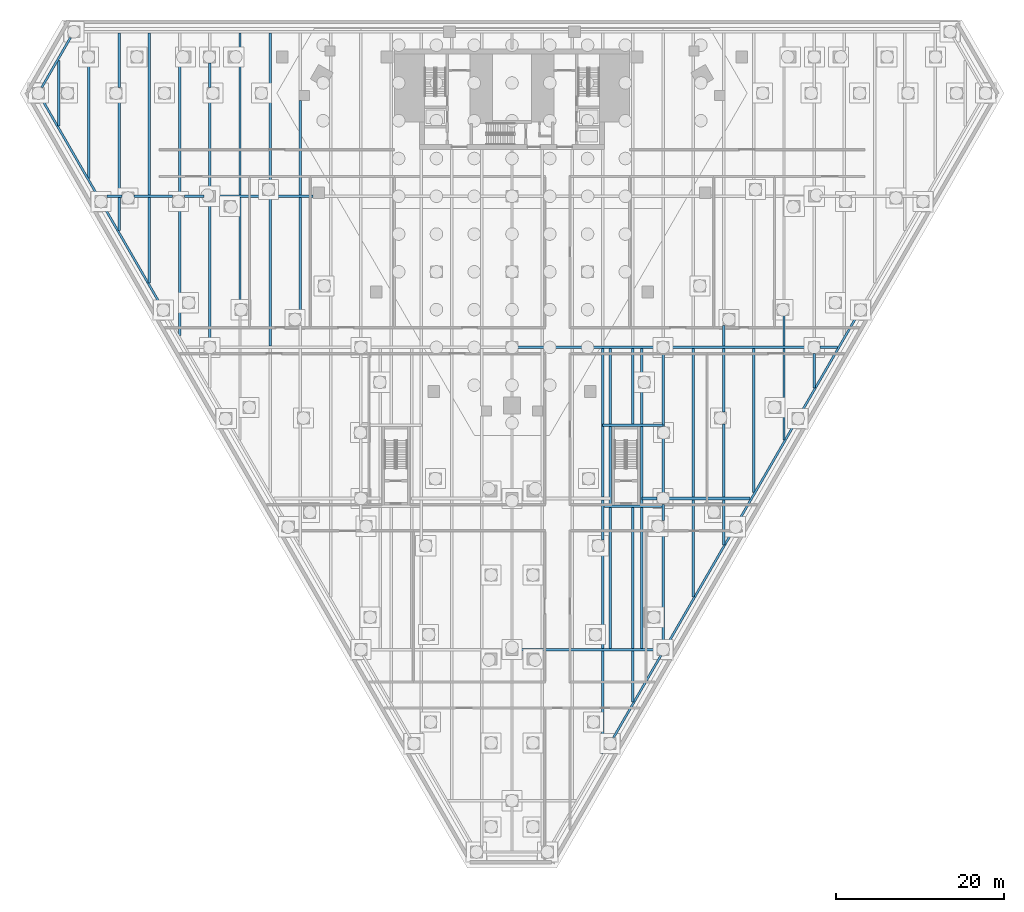
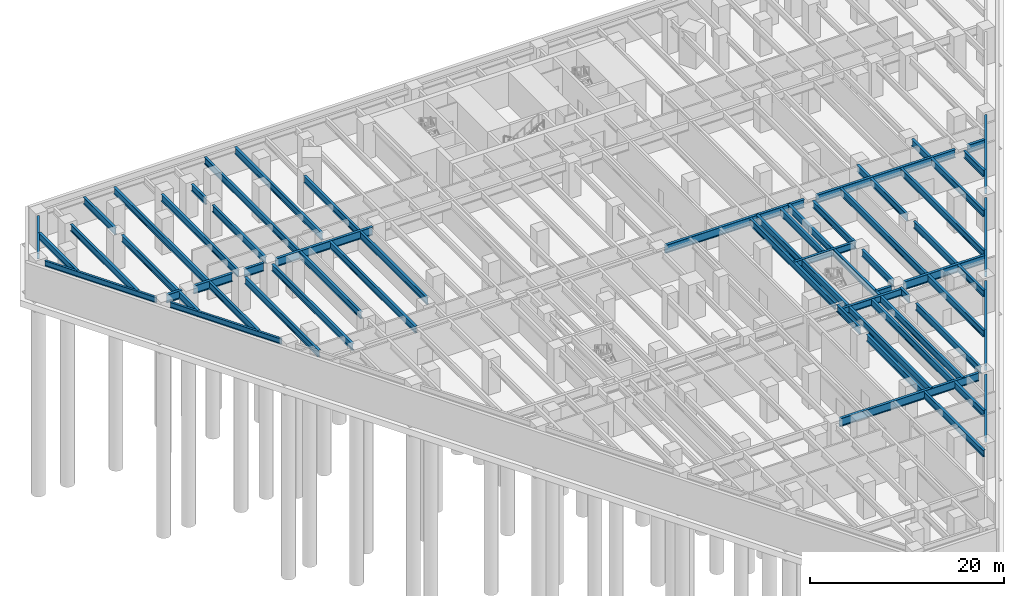
# One storey, part 4 of 18: 60 beams.
"""IFC4 building model written with IfcOpenShell, lengths in metres."""

from ifc_helpers import new_model, si_unit, direction, frame, origin, origin_2d, place, context, subcontext, project, spatial, i_section, extrude, material, material_profile, profile_set, type_object, element, save


model = new_model("IFC4")

# Units and contexts
model_context = context("Model", 3, precision=1e-05, world=origin(), true_north=direction((0.0, 1.0)))
body_context = subcontext(model_context, "Body", "Model", "MODEL_VIEW")
ifc_project = project(units=[si_unit("LENGTHUNIT", "METRE"), si_unit("AREAUNIT", "SQUARE_METRE"), si_unit("VOLUMEUNIT", "CUBIC_METRE"), si_unit("PLANEANGLEUNIT", "RADIAN"), si_unit("MASSUNIT", "GRAM", prefix="KILO")], contexts=[model_context])

# Site, building, storey
site_placement = place(None, origin())
site = spatial("IfcSite", under=ifc_project, at=site_placement, CompositionType="ELEMENT")
building_placement = place(site_placement, origin())
building = spatial("IfcBuilding", under=site, at=building_placement, Name="Aloe Facet Convention Tower", CompositionType="ELEMENT")
storey_placement = place(building_placement, frame((0.0, 0.0, -9.0)))
storey = spatial("IfcBuildingStorey", under=building, at=storey_placement, Name="B2", CompositionType="ELEMENT", Elevation=-9.0)

# Beams
ifc_material_1 = material(Name="Steel S355", Category="steel")
ifc_material_profile_1 = material_profile(ifc_material_1, i_section(OverallWidth=0.305419921875, OverallDepth=1.02587890625, WebThickness=0.02001953125, FlangeThickness=0.031005859375, FilletRadius=0.030029296875, at=origin_2d()), Name="UB 1016x305x349")
ifc_profile_set_1 = profile_set([ifc_material_profile_1], Name="Steel S355")
beam_type_1 = type_object("IfcBeamType", Name="SF-B-UB1016x305x349", PredefinedType="BEAM", material=ifc_profile_set_1)
beam_1_placement = place(storey_placement, frame((31.740966796875, 117.0, 3.737060546875), z_axis=(1.0, 0.0, 0.0), x_axis=(0.0, 1.0, 0.0)))
element("IfcBeam", 1, at=beam_1_placement, inside=storey, type_object=beam_type_1, Name="Floor beam FB-B1-021", PredefinedType="BEAM", context=body_context, shape_type="SweptSolid", body=[
    extrude(i_section(OverallWidth=0.305419921875, OverallDepth=1.02587890625, WebThickness=0.02001953125, FlangeThickness=0.031005859375, FilletRadius=0.030029296875, at=origin_2d()), origin(), (0.0, 0.0, 1.0), 1.817138671875),
])
beam_2_placement = place(storey_placement, frame((34.9580078125, 117.0, 3.737060546875), z_axis=(1.0, 0.0, 0.0), x_axis=(0.0, 1.0, 0.0)))
element("IfcBeam", 2, at=beam_2_placement, inside=storey, type_object=beam_type_1, Name="Floor beam FB-B1-022", PredefinedType="BEAM", context=body_context, shape_type="SweptSolid", body=[
    extrude(i_section(OverallWidth=0.305419921875, OverallDepth=1.02587890625, WebThickness=0.02001953125, FlangeThickness=0.031005859375, FilletRadius=0.030029296875, at=origin_2d()), origin(), (0.0, 0.0, 1.0), 4.612060546875),
])
beam_3_placement = place(storey_placement, frame((40.969970703125, 117.0, 3.737060546875), z_axis=(1.0, 0.0, 0.0), x_axis=(0.0, 1.0, 0.0)))
element("IfcBeam", 3, at=beam_3_placement, inside=storey, type_object=beam_type_1, Name="Floor beam FB-B1-023", PredefinedType="BEAM", context=body_context, shape_type="SweptSolid", body=[
    extrude(i_section(OverallWidth=0.305419921875, OverallDepth=1.02587890625, WebThickness=0.02001953125, FlangeThickness=0.031005859375, FilletRadius=0.030029296875, at=origin_2d()), origin(), (0.0, 0.0, 1.0), 2.330078125),
])
beam_4_placement = place(storey_placement, frame((44.699951171875, 117.0, 3.737060546875), z_axis=(1.0, 0.0, 0.0), x_axis=(0.0, 1.0, 0.0)))
element("IfcBeam", 4, at=beam_4_placement, inside=storey, type_object=beam_type_1, Name="Floor beam FB-B1-026", PredefinedType="BEAM", context=body_context, shape_type="SweptSolid", body=[
    extrude(i_section(OverallWidth=0.305419921875, OverallDepth=1.02587890625, WebThickness=0.02001953125, FlangeThickness=0.031005859375, FilletRadius=0.030029296875, at=origin_2d()), origin(), (0.0, 0.0, 1.0), 11.583984375),
])
for number, where, z_axis, x_axis, name in (
    (5, (80.699951171875, 63.0, 3.737060546875), (1.0, 0.0, 0.0), (0.0, 1.0, 0.0), "Floor beam FB-B1-035"),
    (6, (80.699951171875, 99.0, 3.737060546875), (1.0, 0.0, 0.0), (0.0, 1.0, 0.0), "Floor beam FB-B1-037"),
):
    element("IfcBeam", number, at=place(storey_placement, frame(where, z_axis=z_axis, x_axis=x_axis)), inside=storey, type_object=beam_type_1, Name=name, PredefinedType="BEAM", context=body_context, shape_type="SweptSolid", body=[
        extrude(i_section(OverallWidth=0.305419921875, OverallDepth=1.02587890625, WebThickness=0.02001953125, FlangeThickness=0.031005859375, FilletRadius=0.030029296875, at=origin_2d()), origin(), (0.0, 0.0, 1.0), 16.60009765625),
    ])
beam_5_placement = place(storey_placement, frame((95.47509765625, 81.0, 3.737060546875), z_axis=(1.0, 0.0, 0.0), x_axis=(0.0, 1.0, 0.0)))
element("IfcBeam", 7, at=beam_5_placement, inside=storey, type_object=beam_type_1, Name="Floor beam FB-B1-039", PredefinedType="BEAM", context=body_context, shape_type="SweptSolid", body=[
    extrude(i_section(OverallWidth=0.305419921875, OverallDepth=1.02587890625, WebThickness=0.02001953125, FlangeThickness=0.031005859375, FilletRadius=0.030029296875, at=origin_2d()), origin(), (0.0, 0.0, 1.0), 1.824951171875),
])
beam_6_placement = place(storey_placement, frame((98.699951171875, 81.0, 3.737060546875), z_axis=(1.0, 0.0, 0.0), x_axis=(0.0, 1.0, 0.0)))
element("IfcBeam", 8, at=beam_6_placement, inside=storey, type_object=beam_type_1, Name="Floor beam FB-B1-040", PredefinedType="BEAM", context=body_context, shape_type="SweptSolid", body=[
    extrude(i_section(OverallWidth=0.305419921875, OverallDepth=1.02587890625, WebThickness=0.02001953125, FlangeThickness=0.031005859375, FilletRadius=0.030029296875, at=origin_2d()), origin(), (0.0, 0.0, 1.0), 9.68115234375),
])
beam_7_placement = place(storey_placement, frame((98.699951171875, 99.0, 3.737060546875), z_axis=(1.0, 0.0, 0.0), x_axis=(0.0, 1.0, 0.0)))
element("IfcBeam", 9, at=beam_7_placement, inside=storey, type_object=beam_type_1, Name="Floor beam FB-B1-041", PredefinedType="BEAM", context=body_context, shape_type="SweptSolid", body=[
    extrude(i_section(OverallWidth=0.305419921875, OverallDepth=1.02587890625, WebThickness=0.02001953125, FlangeThickness=0.031005859375, FilletRadius=0.030029296875, at=origin_2d()), origin(), (0.0, 0.0, 1.0), 16.60009765625),
])
beam_8_placement = place(storey_placement, frame((116.699951171875, 99.0, 3.737060546875), z_axis=(1.0, 0.0, 0.0), x_axis=(0.0, 1.0, 0.0)))
element("IfcBeam", 10, at=beam_8_placement, inside=storey, type_object=beam_type_1, Name="Floor beam FB-B1-043", PredefinedType="BEAM", context=body_context, shape_type="SweptSolid", body=[
    extrude(i_section(OverallWidth=0.305419921875, OverallDepth=1.02587890625, WebThickness=0.02001953125, FlangeThickness=0.031005859375, FilletRadius=0.030029296875, at=origin_2d()), origin(), (0.0, 0.0, 1.0), 2.073486328125),
])
ifc_material_2 = material(Name="Steel S355", Category="steel")
ifc_material_profile_2 = material_profile(ifc_material_2, i_section(OverallWidth=0.25439453125, OverallDepth=0.6875, WebThickness=0.01318359375, FlangeThickness=0.02099609375, FilletRadius=0.01513671875, at=origin_2d()), Name="UB 686x254x152")
ifc_profile_set_2 = profile_set([ifc_material_profile_2], Name="Steel S355")
beam_type_2 = type_object("IfcBeamType", Name="SF-B-UB686x254x152", PredefinedType="BEAM", material=ifc_profile_set_2)
beam_9_placement = place(storey_placement, frame((23.989013671875, 129.98388671875, 3.90625), z_axis=(0.499990572262, 0.866030846823, 0.0), x_axis=(-0.866030846823, 0.499990572262, 0.0)))
element("IfcBeam", 11, at=beam_9_placement, inside=storey, type_object=beam_type_2, Name="Floor beam FB-B1-001", PredefinedType="BEAM", context=body_context, shape_type="SweptSolid", body=[
    extrude(i_section(OverallWidth=0.25439453125, OverallDepth=0.6875, WebThickness=0.01318359375, FlangeThickness=0.02099609375, FilletRadius=0.01513671875, at=origin_2d()), origin(), (0.0, 0.0, 1.0), 6.831298828125),
])
for number, where, z_axis, x_axis, name in (
    (12, (30.636962890625, 117.070068359375, 3.90625), (-0.50000804238, 0.866020760464, 0.0), (-0.866020760464, -0.50000804238, 0.0), "Floor beam FB-B1-003"),
    (13, (38.0927734375, 104.156005859375, 3.90625), (-0.50000804238, 0.866020760464, 0.0), (-0.866020760464, -0.50000804238, 0.0), "Floor beam FB-B1-004"),
):
    element("IfcBeam", number, at=place(storey_placement, frame(where, z_axis=z_axis, x_axis=x_axis)), inside=storey, type_object=beam_type_2, Name=name, PredefinedType="BEAM", context=body_context, shape_type="SweptSolid", body=[
        extrude(i_section(OverallWidth=0.25439453125, OverallDepth=0.6875, WebThickness=0.01318359375, FlangeThickness=0.02099609375, FilletRadius=0.01513671875, at=origin_2d()), origin(), (0.0, 0.0, 1.0), 13.295166015625),
    ])
beam_10_placement = place(storey_placement, frame((97.74169921875, 62.300048828125, 3.90625), z_axis=(-0.500009430881, -0.866019958794, 0.0), x_axis=(0.866019958794, -0.500009430881, 0.0)))
element("IfcBeam", 14, at=beam_10_placement, inside=storey, type_object=beam_type_2, Name="Floor beam FB-B1-014", PredefinedType="BEAM", context=body_context, shape_type="SweptSolid", body=[
    extrude(i_section(OverallWidth=0.25439453125, OverallDepth=0.6875, WebThickness=0.01318359375, FlangeThickness=0.02099609375, FilletRadius=0.01513671875, at=origin_2d()), origin(), (0.0, 0.0, 1.0), 11.316162109375),
])
beam_11_placement = place(storey_placement, frame((106.18701171875, 76.927978515625, 3.90625), z_axis=(-0.499988104614, -0.86603227148, 0.0), x_axis=(0.86603227148, -0.499988104614, 0.0)))
element("IfcBeam", 15, at=beam_11_placement, inside=storey, type_object=beam_type_2, Name="Floor beam FB-B1-015", PredefinedType="BEAM", context=body_context, shape_type="SweptSolid", body=[
    extrude(i_section(OverallWidth=0.25439453125, OverallDepth=0.6875, WebThickness=0.01318359375, FlangeThickness=0.02099609375, FilletRadius=0.01513671875, at=origin_2d()), origin(), (0.0, 0.0, 1.0), 15.274169921875),
])
for number, where, z_axis, x_axis, name in (
    (16, (113.64306640625, 89.842041015625, 3.90625), (-0.500000090957, -0.86602535127, 0.0), (0.86602535127, -0.500000090957, 0.0), "Floor beam FB-B1-016"),
    (17, (121.09912109375, 102.756103515625, 3.90625), (-0.500000090957, -0.86602535127, 0.0), (0.86602535127, -0.500000090957, 0.0), "Floor beam FB-B1-017"),
):
    element("IfcBeam", number, at=place(storey_placement, frame(where, z_axis=z_axis, x_axis=x_axis)), inside=storey, type_object=beam_type_2, Name=name, PredefinedType="BEAM", context=body_context, shape_type="SweptSolid", body=[
        extrude(i_section(OverallWidth=0.25439453125, OverallDepth=0.6875, WebThickness=0.01318359375, FlangeThickness=0.02099609375, FilletRadius=0.01513671875, at=origin_2d()), origin(), (0.0, 0.0, 1.0), 13.29541015625),
    ])
ifc_material_3 = material(Name="Steel S355", Category="steel")
ifc_material_profile_3 = material_profile(ifc_material_3, i_section(OverallWidth=0.293701171875, OverallDepth=0.850830078125, WebThickness=0.01611328125, FlangeThickness=0.02685546875, FilletRadius=0.017822265625, at=origin_2d()), Name="UB 838x292x226")
ifc_profile_set_3 = profile_set([ifc_material_profile_3], Name="Steel S355")
beam_type_3 = type_object("IfcBeamType", Name="SF-B-UB838x292x226", PredefinedType="BEAM", material=ifc_profile_set_3)
beam_12_placement = place(storey_placement, frame((26.0, 125.36572265625, 3.82470703125), z_axis=(0.0, 1.0, 0.0), x_axis=(-1.0, 0.0, 0.0)))
element("IfcBeam", 18, at=beam_12_placement, inside=storey, type_object=beam_type_3, Name="Floor beam FB-B1-047", PredefinedType="BEAM", context=body_context, shape_type="SweptSolid", body=[
    extrude(i_section(OverallWidth=0.293701171875, OverallDepth=0.850830078125, WebThickness=0.01611328125, FlangeThickness=0.02685546875, FilletRadius=0.017822265625, at=origin_2d()), origin(), (0.0, 0.0, 1.0), 7.8369140625),
])
beam_13_placement = place(storey_placement, frame((29.60009765625, 119.13037109375, 3.82470703125), z_axis=(0.0, 1.0, 0.0), x_axis=(-1.0, 0.0, 0.0)))
element("IfcBeam", 19, at=beam_13_placement, inside=storey, type_object=beam_type_3, Name="Floor beam FB-B1-048", PredefinedType="BEAM", context=body_context, shape_type="SweptSolid", body=[
    extrude(i_section(OverallWidth=0.293701171875, OverallDepth=0.850830078125, WebThickness=0.01611328125, FlangeThickness=0.02685546875, FilletRadius=0.017822265625, at=origin_2d()), origin(), (0.0, 0.0, 1.0), 13.76953125),
])
beam_14_placement = place(storey_placement, frame((33.199951171875, 112.89501953125, 3.82470703125), z_axis=(0.0, 1.0, 0.0), x_axis=(-1.0, 0.0, 0.0)))
element("IfcBeam", 20, at=beam_14_placement, inside=storey, type_object=beam_type_3, Name="Floor beam FB-B1-050", PredefinedType="BEAM", context=body_context, shape_type="SweptSolid", body=[
    extrude(i_section(OverallWidth=0.293701171875, OverallDepth=0.850830078125, WebThickness=0.01611328125, FlangeThickness=0.02685546875, FilletRadius=0.017822265625, at=origin_2d()), origin(), (0.0, 0.0, 1.0), 3.952392578125),
])
beam_15_placement = place(storey_placement, frame((33.199951171875, 117.152587890625, 3.82470703125), z_axis=(0.0, 1.0, 0.0), x_axis=(-1.0, 0.0, 0.0)))
element("IfcBeam", 21, at=beam_15_placement, inside=storey, type_object=beam_type_3, Name="Floor beam FB-B1-051", PredefinedType="BEAM", context=body_context, shape_type="SweptSolid", body=[
    extrude(i_section(OverallWidth=0.293701171875, OverallDepth=0.850830078125, WebThickness=0.01611328125, FlangeThickness=0.02685546875, FilletRadius=0.017822265625, at=origin_2d()), origin(), (0.0, 0.0, 1.0), 11.431396484375),
])
beam_16_placement = place(storey_placement, frame((33.199951171875, 129.98388671875, 3.82470703125), z_axis=(0.0, 1.0, 0.0), x_axis=(-1.0, 0.0, 0.0)))
element("IfcBeam", 22, at=beam_16_placement, inside=storey, type_object=beam_type_3, Name="Floor beam FB-B1-052", PredefinedType="BEAM", context=body_context, shape_type="SweptSolid", body=[
    extrude(i_section(OverallWidth=0.293701171875, OverallDepth=0.850830078125, WebThickness=0.01611328125, FlangeThickness=0.02685546875, FilletRadius=0.017822265625, at=origin_2d()), origin(), (0.0, 0.0, 1.0), 6.478759765625),
])
beam_17_placement = place(storey_placement, frame((36.800048828125, 106.65966796875, 3.82470703125), z_axis=(0.0, 1.0, 0.0), x_axis=(-1.0, 0.0, 0.0)))
element("IfcBeam", 23, at=beam_17_placement, inside=storey, type_object=beam_type_3, Name="Floor beam FB-B1-053", PredefinedType="BEAM", context=body_context, shape_type="SweptSolid", body=[
    extrude(i_section(OverallWidth=0.293701171875, OverallDepth=0.850830078125, WebThickness=0.01611328125, FlangeThickness=0.02685546875, FilletRadius=0.017822265625, at=origin_2d()), origin(), (0.0, 0.0, 1.0), 10.187744140625),
])
beam_18_placement = place(storey_placement, frame((36.800048828125, 117.152587890625, 3.82470703125), z_axis=(0.0, 1.0, 0.0), x_axis=(-1.0, 0.0, 0.0)))
element("IfcBeam", 24, at=beam_18_placement, inside=storey, type_object=beam_type_3, Name="Floor beam FB-B1-054", PredefinedType="BEAM", context=body_context, shape_type="SweptSolid", body=[
    extrude(i_section(OverallWidth=0.293701171875, OverallDepth=0.850830078125, WebThickness=0.01611328125, FlangeThickness=0.02685546875, FilletRadius=0.017822265625, at=origin_2d()), origin(), (0.0, 0.0, 1.0), 19.31005859375),
])
beam_19_placement = place(storey_placement, frame((40.39990234375, 100.42431640625, 3.82470703125), z_axis=(0.0, 1.0, 0.0), x_axis=(-1.0, 0.0, 0.0)))
element("IfcBeam", 25, at=beam_19_placement, inside=storey, type_object=beam_type_3, Name="Floor beam FB-B1-055", PredefinedType="BEAM", context=body_context, shape_type="SweptSolid", body=[
    extrude(i_section(OverallWidth=0.293701171875, OverallDepth=0.850830078125, WebThickness=0.01611328125, FlangeThickness=0.02685546875, FilletRadius=0.017822265625, at=origin_2d()), origin(), (0.0, 0.0, 1.0), 15.2607421875),
])
beam_20_placement = place(storey_placement, frame((40.39990234375, 117.0849609375, 3.82470703125), z_axis=(0.0, 1.0, 0.0), x_axis=(-1.0, 0.0, 0.0)))
element("IfcBeam", 26, at=beam_20_placement, inside=storey, type_object=beam_type_3, Name="Floor beam FB-B1-056", PredefinedType="BEAM", context=body_context, shape_type="SweptSolid", body=[
    extrude(i_section(OverallWidth=0.293701171875, OverallDepth=0.850830078125, WebThickness=0.01611328125, FlangeThickness=0.02685546875, FilletRadius=0.017822265625, at=origin_2d()), origin(), (0.0, 0.0, 1.0), 15.81494140625),
])
beam_21_placement = place(storey_placement, frame((44.0, 99.699951171875, 3.82470703125), z_axis=(0.0, 1.0, 0.0), x_axis=(-1.0, 0.0, 0.0)))
element("IfcBeam", 27, at=beam_21_placement, inside=storey, type_object=beam_type_3, Name="Floor beam FB-B1-059", PredefinedType="BEAM", context=body_context, shape_type="SweptSolid", body=[
    extrude(i_section(OverallWidth=0.293701171875, OverallDepth=0.850830078125, WebThickness=0.01611328125, FlangeThickness=0.02685546875, FilletRadius=0.017822265625, at=origin_2d()), origin(), (0.0, 0.0, 1.0), 16.60009765625),
])
beam_22_placement = place(storey_placement, frame((44.0, 117.699951171875, 3.82470703125), z_axis=(0.0, 1.0, 0.0), x_axis=(-1.0, 0.0, 0.0)))
element("IfcBeam", 28, at=beam_22_placement, inside=storey, type_object=beam_type_3, Name="Floor beam FB-B1-060", PredefinedType="BEAM", context=body_context, shape_type="SweptSolid", body=[
    extrude(i_section(OverallWidth=0.293701171875, OverallDepth=0.850830078125, WebThickness=0.01611328125, FlangeThickness=0.02685546875, FilletRadius=0.017822265625, at=origin_2d()), origin(), (0.0, 0.0, 1.0), 10.884033203125),
])
beam_23_placement = place(storey_placement, frame((44.0, 129.98388671875, 3.82470703125), z_axis=(0.0, 1.0, 0.0), x_axis=(-1.0, 0.0, 0.0)))
element("IfcBeam", 29, at=beam_23_placement, inside=storey, type_object=beam_type_3, Name="Floor beam FB-B1-061", PredefinedType="BEAM", context=body_context, shape_type="SweptSolid", body=[
    extrude(i_section(OverallWidth=0.293701171875, OverallDepth=0.850830078125, WebThickness=0.01611328125, FlangeThickness=0.02685546875, FilletRadius=0.017822265625, at=origin_2d()), origin(), (0.0, 0.0, 1.0), 2.916015625),
])
beam_24_placement = place(storey_placement, frame((47.60009765625, 104.18505859375, 3.82470703125), z_axis=(0.0, 1.0, 0.0), x_axis=(-1.0, 0.0, 0.0)))
element("IfcBeam", 30, at=beam_24_placement, inside=storey, type_object=beam_type_3, Name="Floor beam FB-B1-065", PredefinedType="BEAM", context=body_context, shape_type="SweptSolid", body=[
    extrude(i_section(OverallWidth=0.293701171875, OverallDepth=0.850830078125, WebThickness=0.01611328125, FlangeThickness=0.02685546875, FilletRadius=0.017822265625, at=origin_2d()), origin(), (0.0, 0.0, 1.0), 12.662353515625),
])
beam_25_placement = place(storey_placement, frame((47.60009765625, 117.152587890625, 3.82470703125), z_axis=(0.0, 1.0, 0.0), x_axis=(-1.0, 0.0, 0.0)))
element("IfcBeam", 31, at=beam_25_placement, inside=storey, type_object=beam_type_3, Name="Floor beam FB-B1-066", PredefinedType="BEAM", context=body_context, shape_type="SweptSolid", body=[
    extrude(i_section(OverallWidth=0.293701171875, OverallDepth=0.850830078125, WebThickness=0.01611328125, FlangeThickness=0.02685546875, FilletRadius=0.017822265625, at=origin_2d()), origin(), (0.0, 0.0, 1.0), 19.31005859375),
])
beam_26_placement = place(storey_placement, frame((51.199951171875, 99.152587890625, 3.82470703125), z_axis=(0.0, 1.0, 0.0), x_axis=(-1.0, 0.0, 0.0)))
element("IfcBeam", 32, at=beam_26_placement, inside=storey, type_object=beam_type_3, Name="Floor beam FB-B1-068", PredefinedType="BEAM", context=body_context, shape_type="SweptSolid", body=[
    extrude(i_section(OverallWidth=0.293701171875, OverallDepth=0.850830078125, WebThickness=0.01611328125, FlangeThickness=0.02685546875, FilletRadius=0.017822265625, at=origin_2d()), origin(), (0.0, 0.0, 1.0), 17.69482421875),
])
beam_27_placement = place(storey_placement, frame((51.199951171875, 118.5048828125, 3.82470703125), z_axis=(0.0, 1.0, 0.0), x_axis=(-1.0, 0.0, 0.0)))
element("IfcBeam", 33, at=beam_27_placement, inside=storey, type_object=beam_type_3, Name="Floor beam FB-B1-069", PredefinedType="BEAM", context=body_context, shape_type="SweptSolid", body=[
    extrude(i_section(OverallWidth=0.293701171875, OverallDepth=0.850830078125, WebThickness=0.01611328125, FlangeThickness=0.02685546875, FilletRadius=0.017822265625, at=origin_2d()), origin(), (0.0, 0.0, 1.0), 17.957763671875),
])
beam_28_placement = place(storey_placement, frame((54.800048828125, 103.02490234375, 3.82470703125), z_axis=(0.0, 1.0, 0.0), x_axis=(-1.0, 0.0, 0.0)))
element("IfcBeam", 34, at=beam_28_placement, inside=storey, type_object=beam_type_3, Name="Floor beam FB-B1-074", PredefinedType="BEAM", context=body_context, shape_type="SweptSolid", body=[
    extrude(i_section(OverallWidth=0.293701171875, OverallDepth=0.850830078125, WebThickness=0.01611328125, FlangeThickness=0.02685546875, FilletRadius=0.017822265625, at=origin_2d()), origin(), (0.0, 0.0, 1.0), 13.822509765625),
])
beam_29_placement = place(storey_placement, frame((54.800048828125, 117.152587890625, 3.82470703125), z_axis=(0.0, 1.0, 0.0), x_axis=(-1.0, 0.0, 0.0)))
element("IfcBeam", 35, at=beam_29_placement, inside=storey, type_object=beam_type_3, Name="Floor beam FB-B1-075", PredefinedType="BEAM", context=body_context, shape_type="SweptSolid", body=[
    extrude(i_section(OverallWidth=0.293701171875, OverallDepth=0.850830078125, WebThickness=0.01611328125, FlangeThickness=0.02685546875, FilletRadius=0.017822265625, at=origin_2d()), origin(), (0.0, 0.0, 1.0), 11.275390625),
])
beam_30_placement = place(storey_placement, frame((90.800048828125, 50.541259765625, 3.82470703125), z_axis=(0.0, 1.0, 0.0), x_axis=(-1.0, 0.0, 0.0)))
element("IfcBeam", 36, at=beam_30_placement, inside=storey, type_object=beam_type_3, Name="Floor beam FB-B1-141", PredefinedType="BEAM", context=body_context, shape_type="SweptSolid", body=[
    extrude(i_section(OverallWidth=0.293701171875, OverallDepth=0.850830078125, WebThickness=0.01611328125, FlangeThickness=0.02685546875, FilletRadius=0.017822265625, at=origin_2d()), origin(), (0.0, 0.0, 1.0), 12.30615234375),
])
beam_31_placement = place(storey_placement, frame((90.800048828125, 63.152587890625, 3.82470703125), z_axis=(0.0, 1.0, 0.0), x_axis=(-1.0, 0.0, 0.0)))
element("IfcBeam", 37, at=beam_31_placement, inside=storey, type_object=beam_type_3, Name="Floor beam FB-B1-142", PredefinedType="BEAM", context=body_context, shape_type="SweptSolid", body=[
    extrude(i_section(OverallWidth=0.293701171875, OverallDepth=0.850830078125, WebThickness=0.01611328125, FlangeThickness=0.02685546875, FilletRadius=0.017822265625, at=origin_2d()), origin(), (0.0, 0.0, 1.0), 11.513427734375),
])
beam_32_placement = place(storey_placement, frame((90.800048828125, 76.06591796875, 3.82470703125), z_axis=(0.0, 1.0, 0.0), x_axis=(-1.0, 0.0, 0.0)))
element("IfcBeam", 38, at=beam_32_placement, inside=storey, type_object=beam_type_3, Name="Floor beam FB-B1-143", PredefinedType="BEAM", context=body_context, shape_type="SweptSolid", body=[
    extrude(i_section(OverallWidth=0.293701171875, OverallDepth=0.850830078125, WebThickness=0.01611328125, FlangeThickness=0.02685546875, FilletRadius=0.017822265625, at=origin_2d()), origin(), (0.0, 0.0, 1.0), 4.781494140625),
])
beam_33_placement = place(storey_placement, frame((90.800048828125, 80.050048828125, 3.82470703125), z_axis=(1.0, 0.0, 0.0), x_axis=(0.0, 1.0, 0.0)))
element("IfcBeam", 39, at=beam_33_placement, inside=storey, type_object=beam_type_3, Name="Floor beam FB-B1-144", PredefinedType="BEAM", context=body_context, shape_type="SweptSolid", body=[
    extrude(i_section(OverallWidth=0.293701171875, OverallDepth=0.850830078125, WebThickness=0.01611328125, FlangeThickness=0.02685546875, FilletRadius=0.017822265625, at=origin_2d()), origin(), (0.0, 0.0, 1.0), 7.199951171875),
])
beam_34_placement = place(storey_placement, frame((90.800048828125, 81.152587890625, 3.82470703125), z_axis=(0.0, 1.0, 0.0), x_axis=(-1.0, 0.0, 0.0)))
element("IfcBeam", 40, at=beam_34_placement, inside=storey, type_object=beam_type_3, Name="Floor beam FB-B1-145", PredefinedType="BEAM", context=body_context, shape_type="SweptSolid", body=[
    extrude(i_section(OverallWidth=0.293701171875, OverallDepth=0.850830078125, WebThickness=0.01611328125, FlangeThickness=0.02685546875, FilletRadius=0.017822265625, at=origin_2d()), origin(), (0.0, 0.0, 1.0), 17.69482421875),
])
beam_35_placement = place(storey_placement, frame((90.800048828125, 89.75, 3.82470703125), z_axis=(1.0, 0.0, 0.0), x_axis=(0.0, 1.0, 0.0)))
element("IfcBeam", 41, at=beam_35_placement, inside=storey, type_object=beam_type_3, Name="Floor beam FB-B1-146", PredefinedType="BEAM", context=body_context, shape_type="SweptSolid", body=[
    extrude(i_section(OverallWidth=0.293701171875, OverallDepth=0.850830078125, WebThickness=0.01611328125, FlangeThickness=0.02685546875, FilletRadius=0.017822265625, at=origin_2d()), origin(), (0.0, 0.0, 1.0), 7.199951171875),
])
beam_36_placement = place(storey_placement, frame((91.72509765625, 63.0, 3.82470703125), z_axis=(0.0, 1.0, 0.0), x_axis=(-1.0, 0.0, 0.0)))
element("IfcBeam", 42, at=beam_36_placement, inside=storey, type_object=beam_type_3, Name="Floor beam FB-B1-150", PredefinedType="BEAM", context=body_context, shape_type="SweptSolid", body=[
    extrude(i_section(OverallWidth=0.293701171875, OverallDepth=0.850830078125, WebThickness=0.01611328125, FlangeThickness=0.02685546875, FilletRadius=0.017822265625, at=origin_2d()), origin(), (0.0, 0.0, 1.0), 36.0),
])
beam_37_placement = place(storey_placement, frame((94.39990234375, 56.776611328125, 3.82470703125), z_axis=(0.0, 1.0, 0.0), x_axis=(-1.0, 0.0, 0.0)))
element("IfcBeam", 43, at=beam_37_placement, inside=storey, type_object=beam_type_3, Name="Floor beam FB-B1-151", PredefinedType="BEAM", context=body_context, shape_type="SweptSolid", body=[
    extrude(i_section(OverallWidth=0.293701171875, OverallDepth=0.850830078125, WebThickness=0.01611328125, FlangeThickness=0.02685546875, FilletRadius=0.017822265625, at=origin_2d()), origin(), (0.0, 0.0, 1.0), 6.07080078125),
])
beam_38_placement = place(storey_placement, frame((94.39990234375, 63.152587890625, 3.82470703125), z_axis=(0.0, 1.0, 0.0), x_axis=(-1.0, 0.0, 0.0)))
element("IfcBeam", 44, at=beam_38_placement, inside=storey, type_object=beam_type_3, Name="Floor beam FB-B1-152", PredefinedType="BEAM", context=body_context, shape_type="SweptSolid", body=[
    extrude(i_section(OverallWidth=0.293701171875, OverallDepth=0.850830078125, WebThickness=0.01611328125, FlangeThickness=0.02685546875, FilletRadius=0.017822265625, at=origin_2d()), origin(), (0.0, 0.0, 1.0), 16.8974609375),
])
beam_39_placement = place(storey_placement, frame((94.39990234375, 89.75, 3.82470703125), z_axis=(0.0, 1.0, 0.0), x_axis=(-1.0, 0.0, 0.0)))
element("IfcBeam", 45, at=beam_39_placement, inside=storey, type_object=beam_type_3, Name="Floor beam FB-B1-153", PredefinedType="BEAM", context=body_context, shape_type="SweptSolid", body=[
    extrude(i_section(OverallWidth=0.293701171875, OverallDepth=0.850830078125, WebThickness=0.01611328125, FlangeThickness=0.02685546875, FilletRadius=0.017822265625, at=origin_2d()), origin(), (0.0, 0.0, 1.0), 9.097412109375),
])
beam_40_placement = place(storey_placement, frame((95.47509765625, 63.0, 3.82470703125), z_axis=(0.0, 1.0, 0.0), x_axis=(-1.0, 0.0, 0.0)))
element("IfcBeam", 46, at=beam_40_placement, inside=storey, type_object=beam_type_3, Name="Floor beam FB-B1-157", PredefinedType="BEAM", context=body_context, shape_type="SweptSolid", body=[
    extrude(i_section(OverallWidth=0.293701171875, OverallDepth=0.850830078125, WebThickness=0.01611328125, FlangeThickness=0.02685546875, FilletRadius=0.017822265625, at=origin_2d()), origin(), (0.0, 0.0, 1.0), 36.0),
])
beam_41_placement = place(storey_placement, frame((98.0, 63.699951171875, 3.82470703125), z_axis=(0.0, 1.0, 0.0), x_axis=(-1.0, 0.0, 0.0)))
element("IfcBeam", 47, at=beam_41_placement, inside=storey, type_object=beam_type_3, Name="Floor beam FB-B1-158", PredefinedType="BEAM", context=body_context, shape_type="SweptSolid", body=[
    extrude(i_section(OverallWidth=0.293701171875, OverallDepth=0.850830078125, WebThickness=0.01611328125, FlangeThickness=0.02685546875, FilletRadius=0.017822265625, at=origin_2d()), origin(), (0.0, 0.0, 1.0), 13.2861328125),
])
beam_42_placement = place(storey_placement, frame((98.0, 78.385986328125, 3.82470703125), z_axis=(0.0, 1.0, 0.0), x_axis=(-1.0, 0.0, 0.0)))
element("IfcBeam", 48, at=beam_42_placement, inside=storey, type_object=beam_type_3, Name="Floor beam FB-B1-159", PredefinedType="BEAM", context=body_context, shape_type="SweptSolid", body=[
    extrude(i_section(OverallWidth=0.293701171875, OverallDepth=0.850830078125, WebThickness=0.01611328125, FlangeThickness=0.02685546875, FilletRadius=0.017822265625, at=origin_2d()), origin(), (0.0, 0.0, 1.0), 1.9140625),
])
beam_43_placement = place(storey_placement, frame((98.0, 81.699951171875, 3.82470703125), z_axis=(0.0, 1.0, 0.0), x_axis=(-1.0, 0.0, 0.0)))
element("IfcBeam", 49, at=beam_43_placement, inside=storey, type_object=beam_type_3, Name="Floor beam FB-B1-160", PredefinedType="BEAM", context=body_context, shape_type="SweptSolid", body=[
    extrude(i_section(OverallWidth=0.293701171875, OverallDepth=0.850830078125, WebThickness=0.01611328125, FlangeThickness=0.02685546875, FilletRadius=0.017822265625, at=origin_2d()), origin(), (0.0, 0.0, 1.0), 6.445068359375),
])
beam_44_placement = place(storey_placement, frame((98.0, 89.544921875, 3.82470703125), z_axis=(0.0, 1.0, 0.0), x_axis=(-1.0, 0.0, 0.0)))
element("IfcBeam", 50, at=beam_44_placement, inside=storey, type_object=beam_type_3, Name="Floor beam FB-B1-161", PredefinedType="BEAM", context=body_context, shape_type="SweptSolid", body=[
    extrude(i_section(OverallWidth=0.293701171875, OverallDepth=0.850830078125, WebThickness=0.01611328125, FlangeThickness=0.02685546875, FilletRadius=0.017822265625, at=origin_2d()), origin(), (0.0, 0.0, 1.0), 8.755126953125),
])
beam_45_placement = place(storey_placement, frame((101.60009765625, 69.247314453125, 3.82470703125), z_axis=(0.0, 1.0, 0.0), x_axis=(-1.0, 0.0, 0.0)))
element("IfcBeam", 51, at=beam_45_placement, inside=storey, type_object=beam_type_3, Name="Floor beam FB-B1-164", PredefinedType="BEAM", context=body_context, shape_type="SweptSolid", body=[
    extrude(i_section(OverallWidth=0.293701171875, OverallDepth=0.850830078125, WebThickness=0.01611328125, FlangeThickness=0.02685546875, FilletRadius=0.017822265625, at=origin_2d()), origin(), (0.0, 0.0, 1.0), 11.60009765625),
])
beam_46_placement = place(storey_placement, frame((101.60009765625, 81.152587890625, 3.82470703125), z_axis=(0.0, 1.0, 0.0), x_axis=(-1.0, 0.0, 0.0)))
element("IfcBeam", 52, at=beam_46_placement, inside=storey, type_object=beam_type_3, Name="Floor beam FB-B1-165", PredefinedType="BEAM", context=body_context, shape_type="SweptSolid", body=[
    extrude(i_section(OverallWidth=0.293701171875, OverallDepth=0.850830078125, WebThickness=0.01611328125, FlangeThickness=0.02685546875, FilletRadius=0.017822265625, at=origin_2d()), origin(), (0.0, 0.0, 1.0), 17.69482421875),
])
beam_47_placement = place(storey_placement, frame((105.199951171875, 75.482666015625, 3.82470703125), z_axis=(0.0, 1.0, 0.0), x_axis=(-1.0, 0.0, 0.0)))
element("IfcBeam", 53, at=beam_47_placement, inside=storey, type_object=beam_type_3, Name="Floor beam FB-B1-169", PredefinedType="BEAM", context=body_context, shape_type="SweptSolid", body=[
    extrude(i_section(OverallWidth=0.293701171875, OverallDepth=0.850830078125, WebThickness=0.01611328125, FlangeThickness=0.02685546875, FilletRadius=0.017822265625, at=origin_2d()), origin(), (0.0, 0.0, 1.0), 5.36474609375),
])
beam_48_placement = place(storey_placement, frame((105.199951171875, 81.152587890625, 3.82470703125), z_axis=(0.0, 1.0, 0.0), x_axis=(-1.0, 0.0, 0.0)))
element("IfcBeam", 54, at=beam_48_placement, inside=storey, type_object=beam_type_3, Name="Floor beam FB-B1-170", PredefinedType="BEAM", context=body_context, shape_type="SweptSolid", body=[
    extrude(i_section(OverallWidth=0.293701171875, OverallDepth=0.850830078125, WebThickness=0.01611328125, FlangeThickness=0.02685546875, FilletRadius=0.017822265625, at=origin_2d()), origin(), (0.0, 0.0, 1.0), 8.732421875),
])
beam_49_placement = place(storey_placement, frame((105.199951171875, 91.284912109375, 3.82470703125), z_axis=(0.0, 1.0, 0.0), x_axis=(-1.0, 0.0, 0.0)))
element("IfcBeam", 55, at=beam_49_placement, inside=storey, type_object=beam_type_3, Name="Floor beam FB-B1-171", PredefinedType="BEAM", context=body_context, shape_type="SweptSolid", body=[
    extrude(i_section(OverallWidth=0.293701171875, OverallDepth=0.850830078125, WebThickness=0.01611328125, FlangeThickness=0.02685546875, FilletRadius=0.017822265625, at=origin_2d()), origin(), (0.0, 0.0, 1.0), 7.5625),
])
beam_50_placement = place(storey_placement, frame((105.199951171875, 99.152587890625, 3.82470703125), z_axis=(0.0, 1.0, 0.0), x_axis=(-1.0, 0.0, 0.0)))
element("IfcBeam", 56, at=beam_50_placement, inside=storey, type_object=beam_type_3, Name="Floor beam FB-B1-172", PredefinedType="BEAM", context=body_context, shape_type="SweptSolid", body=[
    extrude(i_section(OverallWidth=0.293701171875, OverallDepth=0.850830078125, WebThickness=0.01611328125, FlangeThickness=0.02685546875, FilletRadius=0.017822265625, at=origin_2d()), origin(), (0.0, 0.0, 1.0), 2.472412109375),
])
beam_51_placement = place(storey_placement, frame((108.800048828125, 81.718017578125, 3.82470703125), z_axis=(0.0, 1.0, 0.0), x_axis=(-1.0, 0.0, 0.0)))
element("IfcBeam", 57, at=beam_51_placement, inside=storey, type_object=beam_type_3, Name="Floor beam FB-B1-176", PredefinedType="BEAM", context=body_context, shape_type="SweptSolid", body=[
    extrude(i_section(OverallWidth=0.293701171875, OverallDepth=0.850830078125, WebThickness=0.01611328125, FlangeThickness=0.02685546875, FilletRadius=0.017822265625, at=origin_2d()), origin(), (0.0, 0.0, 1.0), 17.12939453125),
])
beam_52_placement = place(storey_placement, frame((112.39990234375, 87.95361328125, 3.82470703125), z_axis=(0.0, 1.0, 0.0), x_axis=(-1.0, 0.0, 0.0)))
element("IfcBeam", 58, at=beam_52_placement, inside=storey, type_object=beam_type_3, Name="Floor beam FB-B1-179", PredefinedType="BEAM", context=body_context, shape_type="SweptSolid", body=[
    extrude(i_section(OverallWidth=0.293701171875, OverallDepth=0.850830078125, WebThickness=0.01611328125, FlangeThickness=0.02685546875, FilletRadius=0.017822265625, at=origin_2d()), origin(), (0.0, 0.0, 1.0), 10.893798828125),
])
beam_53_placement = place(storey_placement, frame((112.39990234375, 99.152587890625, 3.82470703125), z_axis=(0.0, 1.0, 0.0), x_axis=(-1.0, 0.0, 0.0)))
element("IfcBeam", 59, at=beam_53_placement, inside=storey, type_object=beam_type_3, Name="Floor beam FB-B1-180", PredefinedType="BEAM", context=body_context, shape_type="SweptSolid", body=[
    extrude(i_section(OverallWidth=0.293701171875, OverallDepth=0.850830078125, WebThickness=0.01611328125, FlangeThickness=0.02685546875, FilletRadius=0.017822265625, at=origin_2d()), origin(), (0.0, 0.0, 1.0), 3.63232421875),
])
beam_54_placement = place(storey_placement, frame((116.0, 94.18896484375, 3.82470703125), z_axis=(0.0, 1.0, 0.0), x_axis=(-1.0, 0.0, 0.0)))
element("IfcBeam", 60, at=beam_54_placement, inside=storey, type_object=beam_type_3, Name="Floor beam FB-B1-183", PredefinedType="BEAM", context=body_context, shape_type="SweptSolid", body=[
    extrude(i_section(OverallWidth=0.293701171875, OverallDepth=0.850830078125, WebThickness=0.01611328125, FlangeThickness=0.02685546875, FilletRadius=0.017822265625, at=origin_2d()), origin(), (0.0, 0.0, 1.0), 4.111083984375),
])

save(model, "model.ifc")
